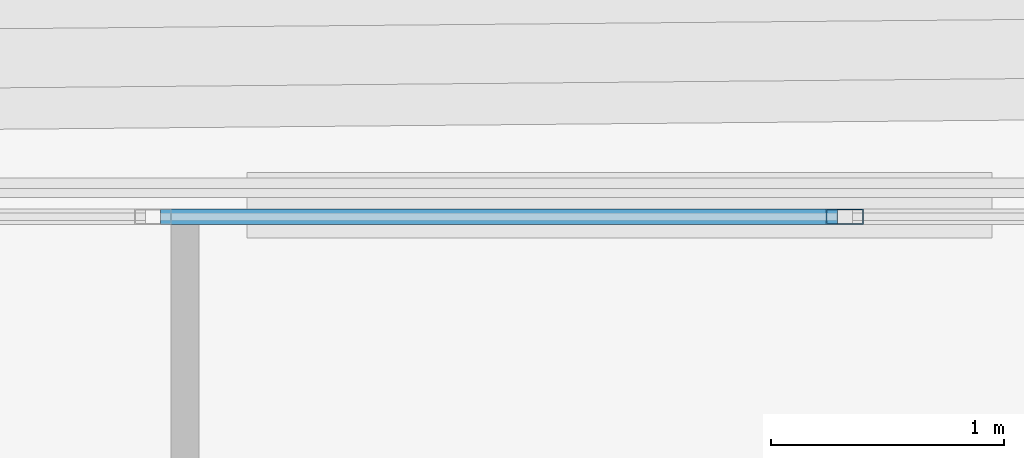
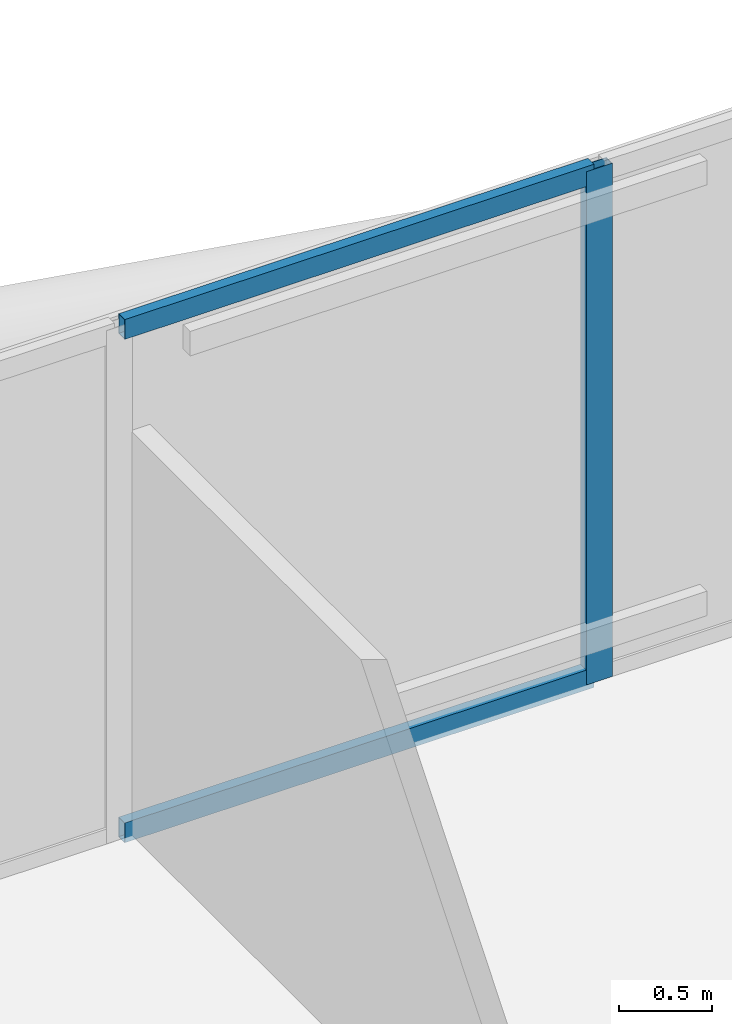
# One storey, part 36 of 50: 3 members, 1 element without a shape of its own.
"""IFC4 building model written with IfcOpenShell, lengths in metres."""

from ifc_helpers import new_model, si_unit, direction, frame, origin, origin_2d, place, context, subcontext, project, spatial, hollow_rectangle, extrude, material, layer, layer_set, material_profile, profile_set, type_object, element, aggregate, save


model = new_model("IFC4")

# Units and contexts
model_context = context("Model", 3, precision=1e-05, world=origin(), true_north=direction((0.0, 1.0)))
body_context = subcontext(model_context, "Body", "Model", "MODEL_VIEW")
ifc_project = project(units=[si_unit("LENGTHUNIT", "METRE"), si_unit("AREAUNIT", "SQUARE_METRE"), si_unit("VOLUMEUNIT", "CUBIC_METRE"), si_unit("PLANEANGLEUNIT", "RADIAN"), si_unit("MASSUNIT", "GRAM", prefix="KILO")], contexts=[model_context])

# Site, building, storey
site_placement = place(None, origin())
site = spatial("IfcSite", under=ifc_project, at=site_placement, CompositionType="ELEMENT")
building_placement = place(site_placement, origin())
building = spatial("IfcBuilding", under=site, at=building_placement, Name="Caelvoria Tower", CompositionType="ELEMENT")
storey_placement = place(building_placement, frame((0.0, 0.0, 71.199951171875)))
storey = spatial("IfcBuildingStorey", under=building, at=storey_placement, Name="L18", CompositionType="ELEMENT", Elevation=71.199951171875)

# Curtain wall, members
ifc_material_1 = material(Name="Anodised Bronze Aluminium and Low-E Glass", Category="aluminium")
ifc_layer = layer(ifc_material_1, 0.18505859375, Name="Anodised Bronze Aluminium and Low-E Glass")
ifc_layer_set = layer_set([ifc_layer], Name="CW System 2 Lower Tower Bronze Unitised Facade - Anodised Bronze Aluminium and Low-E Glass")
curtain_wall_type = type_object("IfcCurtainWallType", Name="CW System 2 Lower Tower Bronze Unitised Facade", PredefinedType="NOTDEFINED", material=ifc_layer_set)
curtain_wall_placement = place(storey_placement, origin())
curtain_wall = element("IfcCurtainWall", 1, at=curtain_wall_placement, inside=storey, type_object=curtain_wall_type, Name="CW-02 Curtain Wall L18-E4", PredefinedType="NOTDEFINED")
ifc_material_2 = material(Name="Anodised Bronze Architectural Aluminium", Category="aluminium")
ifc_material_profile_1 = material_profile(ifc_material_2, hollow_rectangle(XDim=0.06494140625, YDim=0.159912109375, WallThickness=0.00390625, at=origin_2d()), Name="Anodised Bronze Architectural Aluminium")
ifc_profile_set_1 = profile_set([ifc_material_profile_1], Name="CW_MULL_65X160 - Anodised Bronze Architectural Aluminium")
member_type_1 = type_object("IfcMemberType", Name="Curtain Wall Mullion 65x160 Bronze Aluminium", PredefinedType="MULLION", material=ifc_profile_set_1)
member_1_placement = place(storey_placement, frame((51.94287109375, 53.820068359375, 0.0), z_axis=(0.0, 0.0, 1.0), x_axis=(0.0, -1.0, 0.0)))
member_1 = element("IfcMember", 2, at=member_1_placement, type_object=member_type_1, Name="CW-02 mullion 6", PredefinedType="MULLION", context=body_context, shape_type="SweptSolid", body=[
    extrude(hollow_rectangle(XDim=0.06494140625, YDim=0.159912109375, WallThickness=0.00390625, at=origin_2d()), origin(), (0.0, 0.0, 1.0), 3.360107421875),
])
ifc_material_profile_2 = material_profile(ifc_material_2, hollow_rectangle(XDim=0.06494140625, YDim=0.1298828125, WallThickness=0.00341796875, at=origin_2d()), Name="Anodised Bronze Architectural Aluminium")
ifc_profile_set_2 = profile_set([ifc_material_profile_2], Name="CW_TRAN_65X130 - Anodised Bronze Architectural Aluminium")
member_type_2 = type_object("IfcMemberType", Name="Curtain Wall Transom 65x130 Bronze Aluminium", PredefinedType="USERDEFINED", material=ifc_profile_set_2)
member_2_placement = place(storey_placement, frame((51.910400390625, 53.820068359375, 0.032470703125), z_axis=(-1.0, 0.0, 0.0), x_axis=(0.0, -1.0, 0.0)))
member_2 = element("IfcMember", 3, at=member_2_placement, type_object=member_type_2, Name="CW-02 transom 6.1", ObjectType="TRANSOM", PredefinedType="USERDEFINED", context=body_context, shape_type="SweptSolid", body=[
    extrude(hollow_rectangle(XDim=0.06494140625, YDim=0.1298828125, WallThickness=0.00341796875, at=origin_2d()), origin(), (0.0, 0.0, 1.0), 2.906494140625),
])
member_3_placement = place(storey_placement, frame((51.910400390625, 53.820068359375, 3.32763671875), z_axis=(-1.0, 0.0, 0.0), x_axis=(0.0, -1.0, 0.0)))
member_3 = element("IfcMember", 4, at=member_3_placement, type_object=member_type_2, Name="CW-02 transom 6.2", ObjectType="TRANSOM", PredefinedType="USERDEFINED", context=body_context, shape_type="SweptSolid", body=[
    extrude(hollow_rectangle(XDim=0.06494140625, YDim=0.1298828125, WallThickness=0.00341796875, at=origin_2d()), origin(), (0.0, 0.0, 1.0), 2.906494140625),
])
aggregate(curtain_wall, [member_1, member_2, member_3])

save(model, "model.ifc")
